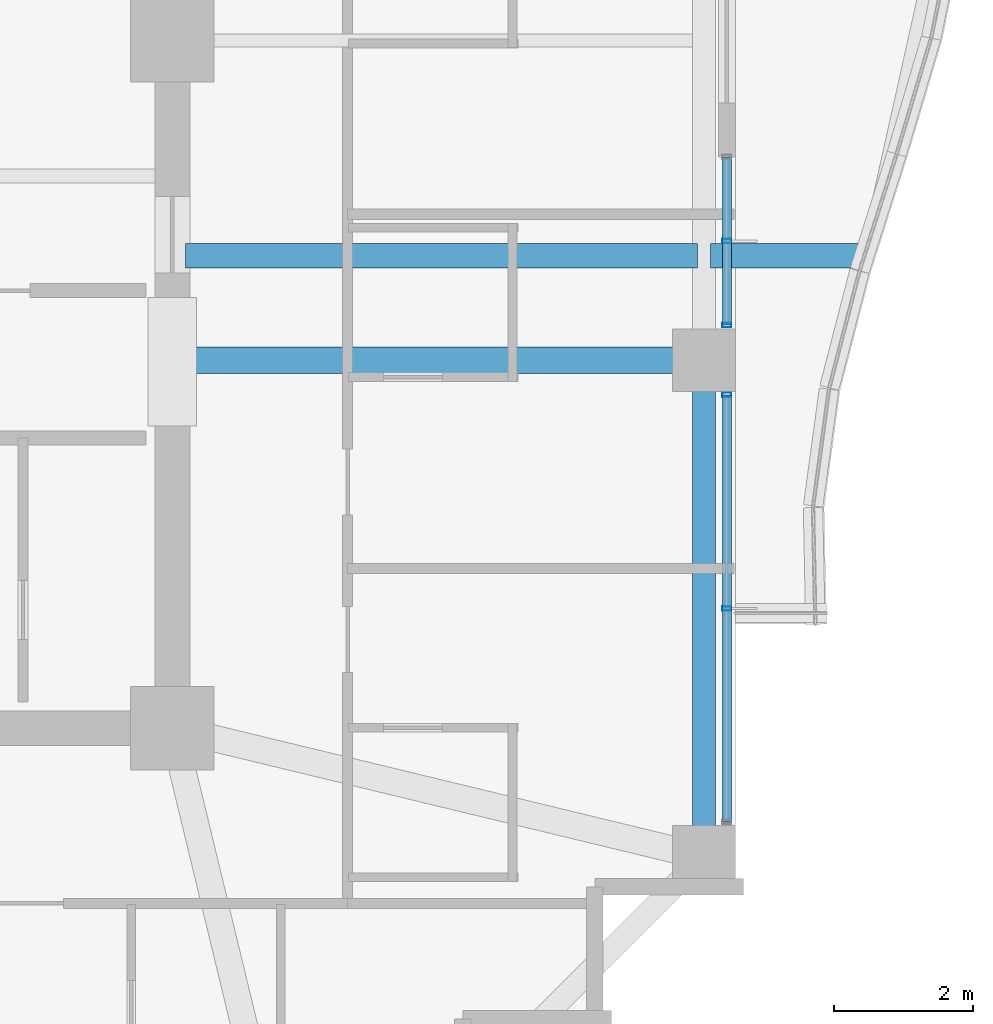
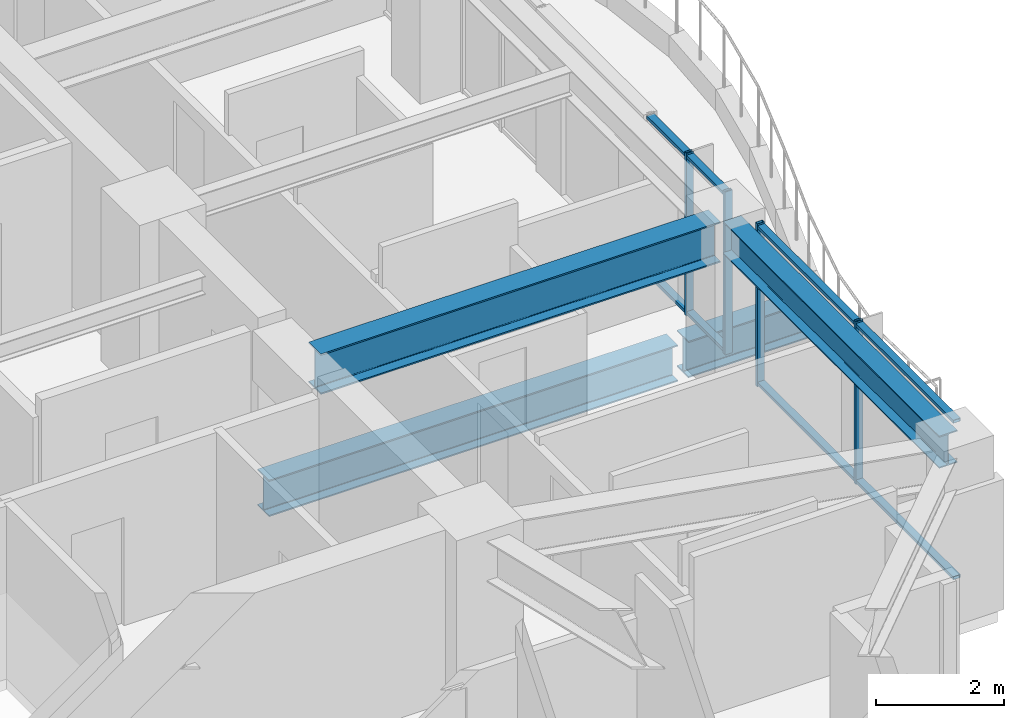
# One storey, part 13 of 32: 8 members, 4 beams, 2 elements without a shape of their own.
"""IFC4 building model written with IfcOpenShell, lengths in metres."""

from ifc_helpers import new_model, si_unit, direction, frame, origin, origin_2d, place, context, subcontext, project, spatial, hollow_rectangle, i_section, extrude, material, material_profile, profile_set, type_object, element, aggregate, save


model = new_model("IFC4")

# Units and contexts
model_context = context("Model", 3, precision=1e-05, world=origin(), true_north=direction((0.0, 1.0)))
body_context = subcontext(model_context, "Body", "Model", "MODEL_VIEW")
ifc_project = project(units=[si_unit("LENGTHUNIT", "METRE"), si_unit("AREAUNIT", "SQUARE_METRE"), si_unit("VOLUMEUNIT", "CUBIC_METRE"), si_unit("PLANEANGLEUNIT", "RADIAN"), si_unit("MASSUNIT", "GRAM", prefix="KILO")], contexts=[model_context])

# Site, building, storey
site_placement = place(None, origin())
site = spatial("IfcSite", under=ifc_project, at=site_placement, CompositionType="ELEMENT")
building_placement = place(site_placement, origin())
building = spatial("IfcBuilding", under=site, at=building_placement, Name="Kolvaren Belvedere", CompositionType="ELEMENT")
storey_placement = place(building_placement, frame((0.0, 0.0, 141.5)))
storey = spatial("IfcBuildingStorey", under=building, at=storey_placement, Name="L41", CompositionType="ELEMENT", Elevation=141.5)

# Beams
ifc_material_1 = material(Name="Structural steel ASTM A992 Grade 50", Category="steel")
ifc_material_profile_1 = material_profile(ifc_material_1, i_section(OverallWidth=0.35498046875, OverallDepth=0.696044921875, WebThickness=0.015380859375, FlangeThickness=0.02490234375, FilletRadius=0.02197265625, at=origin_2d()), Name="W27X146")
ifc_profile_set_1 = profile_set([ifc_material_profile_1], Name="Structural steel ASTM A992 Grade 50")
beam_type_1 = type_object("IfcBeamType", Name="BM-CANT-BAL", PredefinedType="BEAM", material=ifc_profile_set_1)
beam_1_placement = place(storey_placement, frame((17.64501953125, -3.10009765625, -0.548095703125), z_axis=(1.0, 0.0, 0.0), x_axis=(0.0, 1.0, 0.0)))
element("IfcBeam", 1, at=beam_1_placement, inside=storey, type_object=beam_type_1, Name="L41 Planted Balcony Cantilever BAL-E-1", PredefinedType="BEAM", context=body_context, shape_type="SweptSolid", body=[
    extrude(i_section(OverallWidth=0.35498046875, OverallDepth=0.696044921875, WebThickness=0.015380859375, FlangeThickness=0.02490234375, FilletRadius=0.02197265625, at=origin_2d()), origin(), (0.0, 0.0, 1.0), 2.239990234375),
])
ifc_material_2 = material(Name="Structural steel ASTM A992 Grade 50", Category="steel")
ifc_material_profile_2 = material_profile(ifc_material_2, i_section(OverallWidth=0.35498046875, OverallDepth=0.696044921875, WebThickness=0.015380859375, FlangeThickness=0.02490234375, FilletRadius=0.02197265625, at=origin_2d()), Name="W27X146")
ifc_profile_set_2 = profile_set([ifc_material_profile_2], Name="Structural steel ASTM A992 Grade 50")
beam_type_2 = type_object("IfcBeamType", Name="BM-GIRD-W27X146", PredefinedType="BEAM", material=ifc_profile_set_2)
beam_2_placement = place(storey_placement, frame((10.090087890625, -3.10009765625, -0.548095703125), z_axis=(1.0, 0.0, 0.0), x_axis=(0.0, 1.0, 0.0)))
element("IfcBeam", 2, at=beam_2_placement, inside=storey, type_object=beam_type_2, Name="L41 Balcony Interior Back-Span Girder BAL-E-1", PredefinedType="BEAM", context=body_context, shape_type="SweptSolid", body=[
    extrude(i_section(OverallWidth=0.35498046875, OverallDepth=0.696044921875, WebThickness=0.015380859375, FlangeThickness=0.02490234375, FilletRadius=0.02197265625, at=origin_2d()), origin(), (0.0, 0.0, 1.0), 7.364990234375),
])
ifc_material_3 = material(Name="Structural steel ASTM A992 Grade 50", Category="steel")
ifc_material_profile_3 = material_profile(ifc_material_3, i_section(OverallWidth=0.381103515625, OverallDepth=0.77294921875, WebThickness=0.0166015625, FlangeThickness=0.027099609375, FilletRadius=0.02392578125, at=origin_2d()), Name="W30X173")
ifc_profile_set_3 = profile_set([ifc_material_profile_3], Name="Structural steel ASTM A992 Grade 50")
beam_type_3 = type_object("IfcBeamType", Name="BM-GIRD-W30X173", PredefinedType="BEAM", material=ifc_profile_set_3)
beam_3_placement = place(storey_placement, frame((10.14990234375, -4.60009765625, 2.71337890625), z_axis=(1.0, 0.0, 0.0), x_axis=(0.0, 1.0, 0.0)))
element("IfcBeam", 3, at=beam_3_placement, inside=storey, type_object=beam_type_3, Name="L41 East Radial Girder M", PredefinedType="BEAM", context=body_context, shape_type="SweptSolid", body=[
    extrude(i_section(OverallWidth=0.381103515625, OverallDepth=0.77294921875, WebThickness=0.0166015625, FlangeThickness=0.027099609375, FilletRadius=0.02392578125, at=origin_2d()), origin(), (0.0, 0.0, 1.0), 7.197509765625),
])
ifc_material_4 = material(Name="Structural steel ASTM A992 Grade 50", Category="steel")
ifc_material_profile_4 = material_profile(ifc_material_4, i_section(OverallWidth=0.324951171875, OverallDepth=0.615966796875, WebThickness=0.013916015625, FlangeThickness=0.021484375, FilletRadius=0.02001953125, at=origin_2d()), Name="W24X117")
ifc_profile_set_4 = profile_set([ifc_material_profile_4], Name="Structural steel ASTM A992 Grade 50")
beam_type_4 = type_object("IfcBeamType", Name="BM-SPAN-W24X117", PredefinedType="SPANDREL", material=ifc_profile_set_4)
beam_4_placement = place(storey_placement, frame((17.550048828125, -11.547607421875, 2.7919921875), z_axis=(0.0, 1.0, 0.0), x_axis=(-1.0, 0.0, 0.0)))
element("IfcBeam", 4, at=beam_4_placement, inside=storey, type_object=beam_type_4, Name="L41 Perimeter Spandrel E1-E2", PredefinedType="SPANDREL", context=body_context, shape_type="SweptSolid", body=[
    extrude(i_section(OverallWidth=0.324951171875, OverallDepth=0.615966796875, WebThickness=0.013916015625, FlangeThickness=0.021484375, FilletRadius=0.02001953125, at=origin_2d()), origin(), (0.0, 0.0, 1.0), 6.7451171875),
])

# Curtain wall, members
ifc_material_5 = material(Name="Anodised pale-metal aluminium AA 6063-T6", Category="aluminium")
curtain_wall_type = type_object("IfcCurtainWallType", Name="CW-Z3-WAIST", PredefinedType="NOTDEFINED", material=ifc_material_5)
curtain_wall_1_placement = place(storey_placement, origin())
curtain_wall_1 = element("IfcCurtainWall", 5, at=curtain_wall_1_placement, inside=storey, type_object=curtain_wall_type, Name="L41 Unitised Curtain Wall FCW-L41-E2-B1", PredefinedType="NOTDEFINED")
ifc_material_6 = material(Name="Anodised pale-metal aluminium AA 6063-T6", Category="aluminium")
ifc_material_profile_5 = material_profile(ifc_material_6, hollow_rectangle(XDim=0.06494140625, YDim=0.1298828125, WallThickness=0.00390625, at=origin_2d()), Name="ALU-MUL-130X65")
ifc_profile_set_5 = profile_set([ifc_material_profile_5], Name="Anodised pale-metal aluminium AA 6063-T6")
member_type_1 = type_object("IfcMemberType", Name="CW-MUL-130", PredefinedType="MULLION", material=ifc_profile_set_5)
member_1_placement = place(storey_placement, frame((17.8798828125, -2.888671875, 0.0), z_axis=(0.0, 0.0, 1.0), x_axis=(0.0, 1.0, 0.0)))
member_1 = element("IfcMember", 6, at=member_1_placement, type_object=member_type_1, Name="FCW-L41-E2-B1 Unitised Mullion 2", PredefinedType="MULLION", context=body_context, shape_type="SweptSolid", body=[
    extrude(hollow_rectangle(XDim=0.06494140625, YDim=0.1298828125, WallThickness=0.00390625, at=origin_2d()), origin(), (0.0, 0.0, 1.0), 3.10009765625),
])
member_2_placement = place(storey_placement, frame((17.8798828125, -4.097412109375, 0.0), z_axis=(0.0, 0.0, 1.0), x_axis=(0.0, 1.0, 0.0)))
member_2 = element("IfcMember", 7, at=member_2_placement, type_object=member_type_1, Name="FCW-L41-E2-B1 Unitised Mullion 3", PredefinedType="MULLION", context=body_context, shape_type="SweptSolid", body=[
    extrude(hollow_rectangle(XDim=0.06494140625, YDim=0.1298828125, WallThickness=0.00390625, at=origin_2d()), origin(), (0.0, 0.0, 1.0), 3.10009765625),
])

curtain_wall_2_placement = place(storey_placement, origin())
curtain_wall_2 = element("IfcCurtainWall", 8, at=curtain_wall_2_placement, inside=storey, type_object=curtain_wall_type, Name="L41 Unitised Curtain Wall FCW-L41-E2-B2", PredefinedType="NOTDEFINED")
member_3_placement = place(storey_placement, frame((17.8798828125, -5.1025390625, 0.0), z_axis=(0.0, 0.0, 1.0), x_axis=(0.0, 1.0, 0.0)))
member_3 = element("IfcMember", 9, at=member_3_placement, type_object=member_type_1, Name="FCW-L41-E2-B2 Unitised Mullion 1", PredefinedType="MULLION", context=body_context, shape_type="SweptSolid", body=[
    extrude(hollow_rectangle(XDim=0.06494140625, YDim=0.1298828125, WallThickness=0.00390625, at=origin_2d()), origin(), (0.0, 0.0, 1.0), 3.10009765625),
])
member_4_placement = place(storey_placement, frame((17.8798828125, -8.175048828125, 0.0), z_axis=(0.0, 0.0, 1.0), x_axis=(0.0, 1.0, 0.0)))
member_4 = element("IfcMember", 10, at=member_4_placement, type_object=member_type_1, Name="FCW-L41-E2-B2 Unitised Mullion 2", PredefinedType="MULLION", context=body_context, shape_type="SweptSolid", body=[
    extrude(hollow_rectangle(XDim=0.06494140625, YDim=0.1298828125, WallThickness=0.00390625, at=origin_2d()), origin(), (0.0, 0.0, 1.0), 3.10009765625),
])

# Member
ifc_material_7 = material(Name="Anodised pale-metal aluminium AA 6063-T6", Category="aluminium")
ifc_material_profile_6 = material_profile(ifc_material_7, hollow_rectangle(XDim=0.06005859375, YDim=0.1298828125, WallThickness=0.00390625, at=origin_2d()), Name="ALU-TRN-130X60")
ifc_profile_set_6 = profile_set([ifc_material_profile_6], Name="Anodised pale-metal aluminium AA 6063-T6")
member_type_2 = type_object("IfcMemberType", Name="CW-TRN-130", PredefinedType="USERDEFINED", material=ifc_profile_set_6)
member_5_placement = place(storey_placement, frame((17.8798828125, -1.679931640625, 0.06005859375), z_axis=(0.0, -1.0, 0.0), x_axis=(0.0, 0.0, 1.0)))
member_5 = element("IfcMember", 11, at=member_5_placement, type_object=member_type_2, Name="FCW-L41-E2-B1 Sill Transom", ObjectType="TRANSOM", PredefinedType="USERDEFINED", context=body_context, shape_type="SweptSolid", body=[
    extrude(hollow_rectangle(XDim=0.06005859375, YDim=0.1298828125, WallThickness=0.00390625, at=origin_2d()), origin(), (0.0, 0.0, 1.0), 2.41748046875),
])

member_6_placement = place(storey_placement, frame((17.8798828125, -1.679931640625, 3.0400390625), z_axis=(0.0, -1.0, 0.0), x_axis=(0.0, 0.0, 1.0)))
member_6 = element("IfcMember", 12, at=member_6_placement, type_object=member_type_2, Name="FCW-L41-E2-B1 Head Transom", ObjectType="TRANSOM", PredefinedType="USERDEFINED", context=body_context, shape_type="SweptSolid", body=[
    extrude(hollow_rectangle(XDim=0.06005859375, YDim=0.1298828125, WallThickness=0.00390625, at=origin_2d()), origin(), (0.0, 0.0, 1.0), 2.41748046875),
])

aggregate(curtain_wall_1, [member_1, member_2, member_5, member_6])

member_7_placement = place(storey_placement, frame((17.8798828125, -5.1025390625, 0.06005859375), z_axis=(0.0, -1.0, 0.0), x_axis=(0.0, 0.0, 1.0)))
member_7 = element("IfcMember", 13, at=member_7_placement, type_object=member_type_2, Name="FCW-L41-E2-B2 Sill Transom", ObjectType="TRANSOM", PredefinedType="USERDEFINED", context=body_context, shape_type="SweptSolid", body=[
    extrude(hollow_rectangle(XDim=0.06005859375, YDim=0.1298828125, WallThickness=0.00390625, at=origin_2d()), origin(), (0.0, 0.0, 1.0), 6.14501953125),
])

member_8_placement = place(storey_placement, frame((17.8798828125, -5.1025390625, 3.0400390625), z_axis=(0.0, -1.0, 0.0), x_axis=(0.0, 0.0, 1.0)))
member_8 = element("IfcMember", 14, at=member_8_placement, type_object=member_type_2, Name="FCW-L41-E2-B2 Head Transom", ObjectType="TRANSOM", PredefinedType="USERDEFINED", context=body_context, shape_type="SweptSolid", body=[
    extrude(hollow_rectangle(XDim=0.06005859375, YDim=0.1298828125, WallThickness=0.00390625, at=origin_2d()), origin(), (0.0, 0.0, 1.0), 6.14501953125),
])

aggregate(curtain_wall_2, [member_3, member_4, member_7, member_8])

save(model, "model.ifc")
